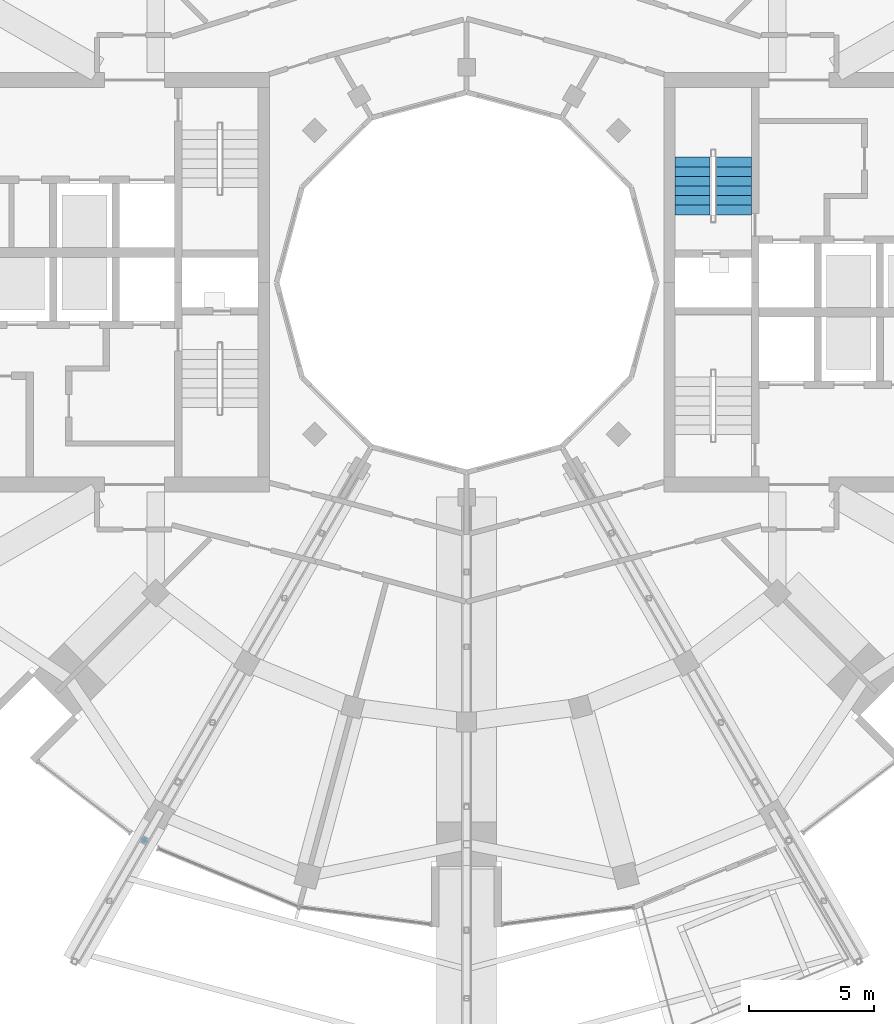
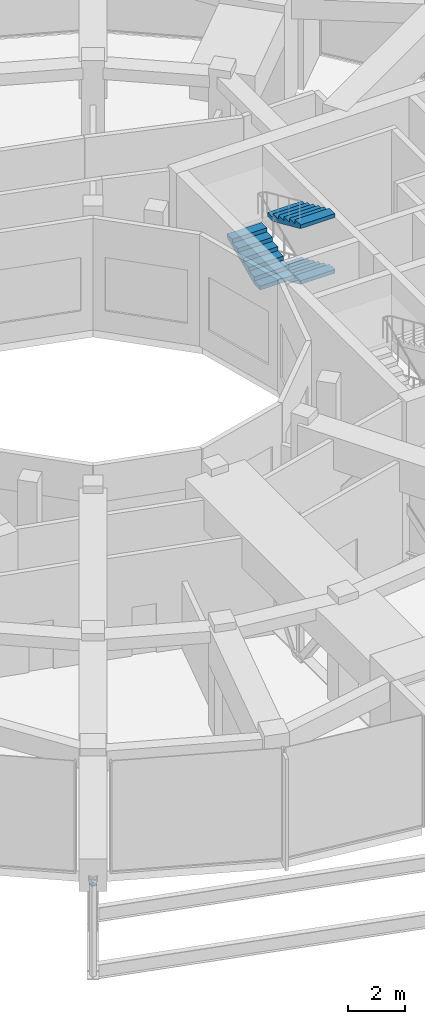
# One storey, part 15 of 17: 3 stair flights, 1 discrete accessory, 1 element without a shape of its own.
"""IFC4 building model written with IfcOpenShell, lengths in metres."""

from ifc_helpers import new_model, si_unit, direction, frame, origin, origin_2d, place, context, subcontext, project, spatial, polyline, rectangle, outline, extrude, material, layer, layer_set, type_object, element, aggregate, save


model = new_model("IFC4")

# Units and contexts
model_context = context("Model", 3, precision=1e-05, world=origin(), true_north=direction((0.0, 1.0)))
body_context = subcontext(model_context, "Body", "Model", "MODEL_VIEW")
ifc_project = project(units=[si_unit("LENGTHUNIT", "METRE"), si_unit("AREAUNIT", "SQUARE_METRE"), si_unit("VOLUMEUNIT", "CUBIC_METRE"), si_unit("PLANEANGLEUNIT", "RADIAN"), si_unit("MASSUNIT", "GRAM", prefix="KILO")], contexts=[model_context])

# Site, building, storey
site_placement = place(None, origin())
site = spatial("IfcSite", under=ifc_project, at=site_placement, CompositionType="ELEMENT")
building_placement = place(site_placement, origin())
building = spatial("IfcBuilding", under=site, at=building_placement, Name="Torre Brocal", CompositionType="ELEMENT")
storey_placement = place(building_placement, frame((0.0, 0.0, 270.89990234375)))
storey = spatial("IfcBuildingStorey", under=building, at=storey_placement, Name="L62", CompositionType="ELEMENT", Elevation=270.89990234375)

# Stair, stair flights
ifc_material_1 = material(Name="Concrete C50", Category="concrete")
stair_type = type_object("IfcStairType", Name="EXIT STAIR", PredefinedType="HALF_TURN_STAIR", material=ifc_material_1)
stair_placement = place(storey_placement, origin())
stair = element("IfcStair", 1, at=stair_placement, inside=storey, type_object=stair_type, Name="EXIT STAIR ST1", PredefinedType="HALF_TURN_STAIR")
ifc_material_2 = material(Name="Concrete C50", Category="concrete")
ifc_layer = layer(ifc_material_2, 0.14990234375)
ifc_layer_set = layer_set([ifc_layer], Name="Concrete C50")
stair_flight_type = type_object("IfcStairFlightType", Name="STAIR FLIGHT", PredefinedType="STRAIGHT", material=ifc_layer_set)
stair_flight_1_placement = place(storey_placement, frame((90.699951171875, 80.010009765625, 1.2001953125), z_axis=(0.0, 0.0, 1.0), x_axis=(0.0, -1.0, 0.0)))
stair_flight_1 = element("IfcStairFlight", 2, at=stair_flight_1_placement, type_object=stair_flight_type, Name="ST1 flight 2", NumberOfRisers=7, NumberOfTreads=6, PredefinedType="STRAIGHT", RiserHeight=0.171428571, TreadLength=0.385, context=body_context, shape_type="SweptSolid", body=[
    extrude(outline(polyline([(0.0, 0.0), (0.0, 0.17138671875), (0.385009765625, 0.17138671875), (0.385009765625, 0.3427734375), (0.77001953125, 0.3427734375), (0.77001953125, 0.514404296875), (1.155029296875, 0.514404296875), (1.155029296875, 0.685791015625), (1.5400390625, 0.685791015625), (1.5400390625, 0.857177734375), (1.925048828125, 0.857177734375), (1.925048828125, 1.028564453125), (2.31005859375, 1.028564453125), (2.31005859375, 1.199951171875), (2.31005859375, 0.864501953125), (0.368408203125, 0.0), (0.0, 0.0)])), frame((0.0, 0.699951171875, 0.0), z_axis=(0.0, -1.0, 0.0), x_axis=(1.0, 0.0, 0.0)), (0.0, 0.0, 1.0), 1.39990234375),
])
stair_flight_2_placement = place(storey_placement, frame((89.050048828125, 77.699951171875, 2.400146484375), z_axis=(0.0, 0.0, 1.0), x_axis=(0.0, 1.0, 0.0)))
stair_flight_2 = element("IfcStairFlight", 3, at=stair_flight_2_placement, type_object=stair_flight_type, Name="ST1 flight 3", NumberOfRisers=7, NumberOfTreads=6, PredefinedType="STRAIGHT", RiserHeight=0.171428571, TreadLength=0.385, context=body_context, shape_type="SweptSolid", body=[
    extrude(outline(polyline([(0.0, 0.0), (0.0, 0.17138671875), (0.385009765625, 0.17138671875), (0.385009765625, 0.3427734375), (0.77001953125, 0.3427734375), (0.77001953125, 0.514404296875), (1.155029296875, 0.514404296875), (1.155029296875, 0.685791015625), (1.5400390625, 0.685791015625), (1.5400390625, 0.857177734375), (1.925048828125, 0.857177734375), (1.925048828125, 1.028564453125), (2.31005859375, 1.028564453125), (2.31005859375, 1.199951171875), (2.31005859375, 0.864501953125), (0.368408203125, 0.0), (0.0, 0.0)])), frame((0.0, 0.699951171875, 0.0), z_axis=(0.0, -1.0, 0.0), x_axis=(1.0, 0.0, 0.0)), (0.0, 0.0, 1.0), 1.39990234375),
])
stair_flight_3_placement = place(storey_placement, frame((90.699951171875, 80.010009765625, 3.60009765625), z_axis=(0.0, 0.0, 1.0), x_axis=(0.0, -1.0, 0.0)))
stair_flight_3 = element("IfcStairFlight", 4, at=stair_flight_3_placement, type_object=stair_flight_type, Name="ST1 flight 4", NumberOfRisers=7, NumberOfTreads=6, PredefinedType="STRAIGHT", RiserHeight=0.171428571, TreadLength=0.385, context=body_context, shape_type="SweptSolid", body=[
    extrude(outline(polyline([(0.0, 0.0), (0.0, 0.17138671875), (0.385009765625, 0.17138671875), (0.385009765625, 0.3427734375), (0.77001953125, 0.3427734375), (0.77001953125, 0.514404296875), (1.155029296875, 0.514404296875), (1.155029296875, 0.685791015625), (1.5400390625, 0.685791015625), (1.5400390625, 0.857177734375), (1.925048828125, 0.857177734375), (1.925048828125, 1.028564453125), (2.31005859375, 1.028564453125), (2.31005859375, 1.199951171875), (2.31005859375, 0.864501953125), (0.368408203125, 0.0), (0.0, 0.0)])), frame((0.0, 0.699951171875, 0.0), z_axis=(0.0, -1.0, 0.0), x_axis=(1.0, 0.0, 0.0)), (0.0, 0.0, 1.0), 1.39990234375),
])
aggregate(stair, [stair_flight_1, stair_flight_2, stair_flight_3])

# Discrete accessory
ifc_material_3 = material(Name="Steel A500 Grade C", Category="steel")
discrete_accessory_type = type_object("IfcDiscreteAccessoryType", Name="TRUSS POST END CAP", PredefinedType="NOTDEFINED", material=ifc_material_3)
discrete_accessory_placement = place(storey_placement, frame((67.100830078125, 52.657958984375, -0.5283203125), z_axis=(0.0, 0.0, 1.0), x_axis=(1.0, 0.0, 0.0)))
element("IfcDiscreteAccessory", 5, at=discrete_accessory_placement, inside=storey, type_object=discrete_accessory_type, Name="Discrete Accessory CT-P05C", PredefinedType="NOTDEFINED", context=body_context, shape_type="SweptSolid", body=[
    extrude(rectangle(XDim=0.203125, YDim=0.203125, at=origin_2d()), origin(), (0.0, 0.0, 1.0), 0.02001953125),
])

save(model, "model.ifc")
